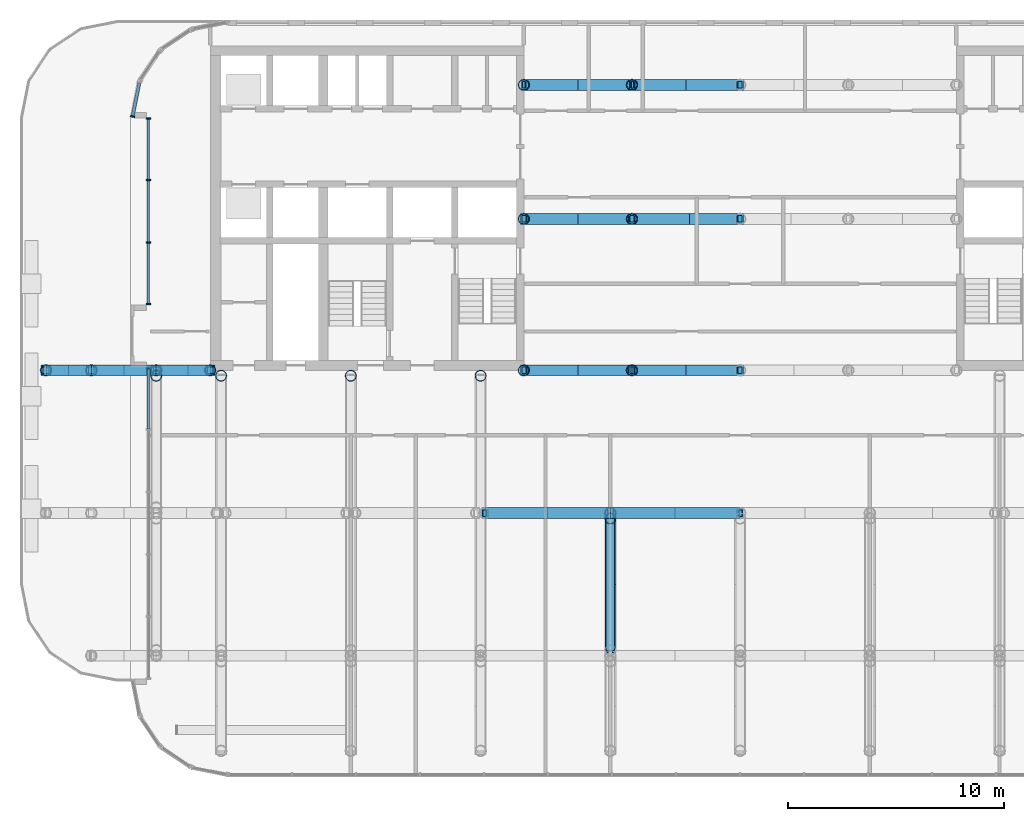
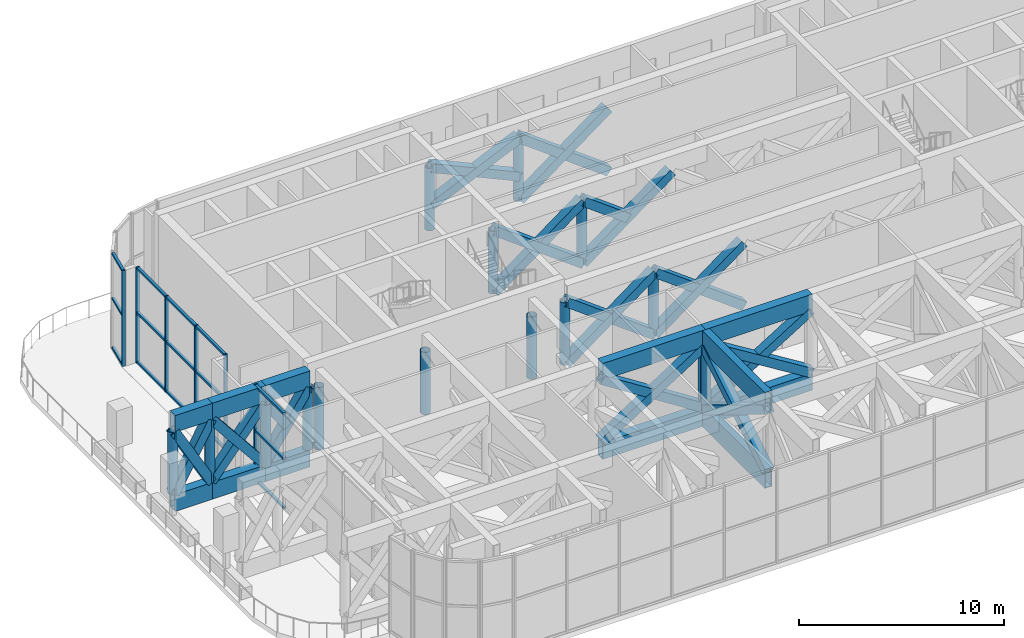
# One storey, part 3 of 25: 61 members, 12 beams, 3 elements without a shape of their own.
"""IFC4 building model written with IfcOpenShell, lengths in metres."""

from ifc_helpers import new_model, si_unit, direction, frame, origin, origin_2d, place, context, subcontext, project, spatial, rectangle, hollow_rectangle, hollow_circle, extrude, material, layer, layer_set, material_profile, profile_set, type_object, element, aggregate, save


model = new_model("IFC4")

# Units and contexts
model_context = context("Model", 3, precision=1e-05, world=origin(), true_north=direction((0.0, 1.0)))
body_context = subcontext(model_context, "Body", "Model", "MODEL_VIEW")
ifc_project = project(units=[si_unit("LENGTHUNIT", "METRE"), si_unit("AREAUNIT", "SQUARE_METRE"), si_unit("VOLUMEUNIT", "CUBIC_METRE"), si_unit("PLANEANGLEUNIT", "RADIAN"), si_unit("MASSUNIT", "GRAM", prefix="KILO")], contexts=[model_context])

# Site, building, storey
site_placement = place(None, origin())
site = spatial("IfcSite", under=ifc_project, at=site_placement, CompositionType="ELEMENT")
building_placement = place(site_placement, origin())
building = spatial("IfcBuilding", under=site, at=building_placement, Name="Torana Hotel and Residences", CompositionType="ELEMENT")
storey_placement = place(building_placement, frame((0.0, 0.0, 106.800048828125)))
storey = spatial("IfcBuildingStorey", under=building, at=storey_placement, Name="L27", CompositionType="ELEMENT", Elevation=106.800048828125)

# Curtain wall, member
ifc_material_1 = material(Name="Dark anodised aluminium", Category="aluminium")
ifc_layer = layer(ifc_material_1, 0.199951171875)
ifc_layer_set = layer_set([ifc_layer], Name="CW2 SKY LOBBY UNITISED CURTAIN WALL")
curtain_wall_type = type_object("IfcCurtainWallType", Name="CW2 SKY LOBBY UNITISED CURTAIN WALL", PredefinedType="NOTDEFINED", material=ifc_layer_set)
curtain_wall_1_placement = place(storey_placement, origin())
curtain_wall_1 = element("IfcCurtainWall", 1, at=curtain_wall_1_placement, inside=storey, type_object=curtain_wall_type, Name="Curtain wall CW2 L27 e0.8-1", PredefinedType="NOTDEFINED")
ifc_material_2 = material(Name="Dark anodised aluminium", Category="aluminium")
ifc_material_profile_1 = material_profile(ifc_material_2, rectangle(XDim=0.199951171875, YDim=0.070068359375, at=origin_2d()), Name="CW2 MULLION 70x200")
ifc_profile_set_1 = profile_set([ifc_material_profile_1], Name="Dark anodised aluminium")
member_type_1 = type_object("IfcMemberType", Name="CW2 MULLION 70x200", PredefinedType="MULLION", material=ifc_profile_set_1)
member_1_placement = place(storey_placement, frame((-28.09033203125, -3.260986328125, 0.0), z_axis=(0.0, 0.0, 1.0), x_axis=(0.980790545928, -0.195063848566, 0.0)))
member_1 = element("IfcMember", 2, at=member_1_placement, type_object=member_type_1, Name="CW2 mullion 2", PredefinedType="MULLION", context=body_context, shape_type="SweptSolid", body=[
    extrude(rectangle(XDim=0.199951171875, YDim=0.070068359375, at=origin_2d()), origin(), (0.0, 0.0, 1.0), 5.719970703125),
])

# Curtain wall, members
curtain_wall_2_placement = place(storey_placement, origin())
curtain_wall_2 = element("IfcCurtainWall", 3, at=curtain_wall_2_placement, inside=storey, type_object=curtain_wall_type, Name="Curtain wall CW2 L27 e0.9-1", PredefinedType="NOTDEFINED")
member_2_placement = place(storey_placement, frame((-27.35498046875, -3.359619140625, 0.0), z_axis=(0.0, 0.0, 1.0), x_axis=(1.0, 0.0, 0.0)))
member_2 = element("IfcMember", 4, at=member_2_placement, type_object=member_type_1, Name="CW2 mullion 1", PredefinedType="MULLION", context=body_context, shape_type="SweptSolid", body=[
    extrude(rectangle(XDim=0.199951171875, YDim=0.070068359375, at=origin_2d()), origin(), (0.0, 0.0, 1.0), 5.719970703125),
])
member_3_placement = place(storey_placement, frame((-27.35498046875, -6.2080078125, 0.0), z_axis=(0.0, 0.0, 1.0), x_axis=(1.0, 0.0, 0.0)))
member_3 = element("IfcMember", 5, at=member_3_placement, type_object=member_type_1, Name="CW2 mullion 2", PredefinedType="MULLION", context=body_context, shape_type="SweptSolid", body=[
    extrude(rectangle(XDim=0.199951171875, YDim=0.070068359375, at=origin_2d()), origin(), (0.0, 0.0, 1.0), 5.719970703125),
])
member_4_placement = place(storey_placement, frame((-27.35498046875, -9.091552734375, 0.0), z_axis=(0.0, 0.0, 1.0), x_axis=(1.0, 0.0, 0.0)))
member_4 = element("IfcMember", 6, at=member_4_placement, type_object=member_type_1, Name="CW2 mullion 3", PredefinedType="MULLION", context=body_context, shape_type="SweptSolid", body=[
    extrude(rectangle(XDim=0.199951171875, YDim=0.070068359375, at=origin_2d()), origin(), (0.0, 0.0, 1.0), 5.719970703125),
])
member_5_placement = place(storey_placement, frame((-27.35498046875, -11.93994140625, 0.0), z_axis=(0.0, 0.0, 1.0), x_axis=(1.0, 0.0, 0.0)))
member_5 = element("IfcMember", 7, at=member_5_placement, type_object=member_type_1, Name="CW2 mullion 4", PredefinedType="MULLION", context=body_context, shape_type="SweptSolid", body=[
    extrude(rectangle(XDim=0.199951171875, YDim=0.070068359375, at=origin_2d()), origin(), (0.0, 0.0, 1.0), 5.719970703125),
])

# Curtain wall, member
curtain_wall_3_placement = place(storey_placement, origin())
curtain_wall_3 = element("IfcCurtainWall", 8, at=curtain_wall_3_placement, inside=storey, type_object=curtain_wall_type, Name="Curtain wall CW2 L27 e0.9-2", PredefinedType="NOTDEFINED")
member_6_placement = place(storey_placement, frame((-27.35498046875, -14.893310546875, 0.0), z_axis=(0.0, 0.0, 1.0), x_axis=(1.0, 0.0, 0.0)))
member_6 = element("IfcMember", 9, at=member_6_placement, type_object=member_type_1, Name="CW2 mullion 1", PredefinedType="MULLION", context=body_context, shape_type="SweptSolid", body=[
    extrude(rectangle(XDim=0.199951171875, YDim=0.070068359375, at=origin_2d()), origin(), (0.0, 0.0, 1.0), 5.719970703125),
])

# Member
ifc_material_3 = material(Name="Dark anodised aluminium", Category="aluminium")
ifc_material_profile_2 = material_profile(ifc_material_3, rectangle(XDim=0.14990234375, YDim=0.1201171875, at=origin_2d()), Name="CW2 TRANSOM 150x120")
ifc_profile_set_2 = profile_set([ifc_material_profile_2], Name="Dark anodised aluminium")
member_type_2 = type_object("IfcMemberType", Name="CW2 TRANSOM 150x120", PredefinedType="USERDEFINED", material=ifc_profile_set_2)
member_7_placement = place(storey_placement, frame((-27.78271484375, -1.71484375, 0.06005859375), z_axis=(-0.19511099609, -0.980781167848, 0.0), x_axis=(0.980781167848, -0.19511099609, 0.0)))
member_7 = element("IfcMember", 10, at=member_7_placement, type_object=member_type_2, Name="CW2 transom 1.1", ObjectType="TRANSOM", PredefinedType="USERDEFINED", context=body_context, shape_type="SweptSolid", body=[
    extrude(rectangle(XDim=0.14990234375, YDim=0.1201171875, at=origin_2d()), origin(), (0.0, 0.0, 1.0), 1.54150390625),
])

member_8_placement = place(storey_placement, frame((-27.78271484375, -1.71484375, 3.0), z_axis=(-0.19511099609, -0.980781167848, 0.0), x_axis=(0.980781167848, -0.19511099609, 0.0)))
member_8 = element("IfcMember", 11, at=member_8_placement, type_object=member_type_2, Name="CW2 transom 1.2", ObjectType="TRANSOM", PredefinedType="USERDEFINED", context=body_context, shape_type="SweptSolid", body=[
    extrude(rectangle(XDim=0.14990234375, YDim=0.1201171875, at=origin_2d()), origin(), (0.0, 0.0, 1.0), 1.54150390625),
])

member_9_placement = place(storey_placement, frame((-27.78271484375, -1.71484375, 5.659912109375), z_axis=(-0.19511099609, -0.980781167848, 0.0), x_axis=(0.980781167848, -0.19511099609, 0.0)))
member_9 = element("IfcMember", 12, at=member_9_placement, type_object=member_type_2, Name="CW2 transom 1.3", ObjectType="TRANSOM", PredefinedType="USERDEFINED", context=body_context, shape_type="SweptSolid", body=[
    extrude(rectangle(XDim=0.14990234375, YDim=0.1201171875, at=origin_2d()), origin(), (0.0, 0.0, 1.0), 1.54150390625),
])

aggregate(curtain_wall_1, [member_1, member_7, member_8, member_9])

member_10_placement = place(storey_placement, frame((-27.35498046875, -3.39453125, 0.06005859375), z_axis=(0.0, -1.0, 0.0), x_axis=(1.0, 0.0, 0.0)))
member_10 = element("IfcMember", 13, at=member_10_placement, type_object=member_type_2, Name="CW2 transom 1.1", ObjectType="TRANSOM", PredefinedType="USERDEFINED", context=body_context, shape_type="SweptSolid", body=[
    extrude(rectangle(XDim=0.14990234375, YDim=0.1201171875, at=origin_2d()), origin(), (0.0, 0.0, 1.0), 2.778564453125),
])

member_11_placement = place(storey_placement, frame((-27.35498046875, -3.39453125, 3.0), z_axis=(0.0, -1.0, 0.0), x_axis=(1.0, 0.0, 0.0)))
member_11 = element("IfcMember", 14, at=member_11_placement, type_object=member_type_2, Name="CW2 transom 1.2", ObjectType="TRANSOM", PredefinedType="USERDEFINED", context=body_context, shape_type="SweptSolid", body=[
    extrude(rectangle(XDim=0.14990234375, YDim=0.1201171875, at=origin_2d()), origin(), (0.0, 0.0, 1.0), 2.778564453125),
])

member_12_placement = place(storey_placement, frame((-27.35498046875, -3.39453125, 5.659912109375), z_axis=(0.0, -1.0, 0.0), x_axis=(1.0, 0.0, 0.0)))
member_12 = element("IfcMember", 15, at=member_12_placement, type_object=member_type_2, Name="CW2 transom 1.3", ObjectType="TRANSOM", PredefinedType="USERDEFINED", context=body_context, shape_type="SweptSolid", body=[
    extrude(rectangle(XDim=0.14990234375, YDim=0.1201171875, at=origin_2d()), origin(), (0.0, 0.0, 1.0), 2.778564453125),
])

member_13_placement = place(storey_placement, frame((-27.35498046875, -6.242919921875, 0.06005859375), z_axis=(0.0, -1.0, 0.0), x_axis=(1.0, 0.0, 0.0)))
member_13 = element("IfcMember", 16, at=member_13_placement, type_object=member_type_2, Name="CW2 transom 2.1", ObjectType="TRANSOM", PredefinedType="USERDEFINED", context=body_context, shape_type="SweptSolid", body=[
    extrude(rectangle(XDim=0.14990234375, YDim=0.1201171875, at=origin_2d()), origin(), (0.0, 0.0, 1.0), 2.8134765625),
])

member_14_placement = place(storey_placement, frame((-27.35498046875, -6.242919921875, 3.0), z_axis=(0.0, -1.0, 0.0), x_axis=(1.0, 0.0, 0.0)))
member_14 = element("IfcMember", 17, at=member_14_placement, type_object=member_type_2, Name="CW2 transom 2.2", ObjectType="TRANSOM", PredefinedType="USERDEFINED", context=body_context, shape_type="SweptSolid", body=[
    extrude(rectangle(XDim=0.14990234375, YDim=0.1201171875, at=origin_2d()), origin(), (0.0, 0.0, 1.0), 2.8134765625),
])

member_15_placement = place(storey_placement, frame((-27.35498046875, -6.242919921875, 5.659912109375), z_axis=(0.0, -1.0, 0.0), x_axis=(1.0, 0.0, 0.0)))
member_15 = element("IfcMember", 18, at=member_15_placement, type_object=member_type_2, Name="CW2 transom 2.3", ObjectType="TRANSOM", PredefinedType="USERDEFINED", context=body_context, shape_type="SweptSolid", body=[
    extrude(rectangle(XDim=0.14990234375, YDim=0.1201171875, at=origin_2d()), origin(), (0.0, 0.0, 1.0), 2.8134765625),
])

member_16_placement = place(storey_placement, frame((-27.35498046875, -9.12646484375, 0.06005859375), z_axis=(0.0, -1.0, 0.0), x_axis=(1.0, 0.0, 0.0)))
member_16 = element("IfcMember", 19, at=member_16_placement, type_object=member_type_2, Name="CW2 transom 3.1", ObjectType="TRANSOM", PredefinedType="USERDEFINED", context=body_context, shape_type="SweptSolid", body=[
    extrude(rectangle(XDim=0.14990234375, YDim=0.1201171875, at=origin_2d()), origin(), (0.0, 0.0, 1.0), 2.7783203125),
])

member_17_placement = place(storey_placement, frame((-27.35498046875, -9.12646484375, 3.0), z_axis=(0.0, -1.0, 0.0), x_axis=(1.0, 0.0, 0.0)))
member_17 = element("IfcMember", 20, at=member_17_placement, type_object=member_type_2, Name="CW2 transom 3.2", ObjectType="TRANSOM", PredefinedType="USERDEFINED", context=body_context, shape_type="SweptSolid", body=[
    extrude(rectangle(XDim=0.14990234375, YDim=0.1201171875, at=origin_2d()), origin(), (0.0, 0.0, 1.0), 2.7783203125),
])

member_18_placement = place(storey_placement, frame((-27.35498046875, -9.12646484375, 5.659912109375), z_axis=(0.0, -1.0, 0.0), x_axis=(1.0, 0.0, 0.0)))
member_18 = element("IfcMember", 21, at=member_18_placement, type_object=member_type_2, Name="CW2 transom 3.3", ObjectType="TRANSOM", PredefinedType="USERDEFINED", context=body_context, shape_type="SweptSolid", body=[
    extrude(rectangle(XDim=0.14990234375, YDim=0.1201171875, at=origin_2d()), origin(), (0.0, 0.0, 1.0), 2.7783203125),
])

aggregate(curtain_wall_2, [member_2, member_3, member_4, member_5, member_10, member_11, member_12, member_13, member_14, member_15, member_16, member_17, member_18])

member_19_placement = place(storey_placement, frame((-27.35498046875, -14.92822265625, 0.06005859375), z_axis=(0.0, -1.0, 0.0), x_axis=(1.0, 0.0, 0.0)))
member_19 = element("IfcMember", 22, at=member_19_placement, type_object=member_type_2, Name="CW2 transom 1.1", ObjectType="TRANSOM", PredefinedType="USERDEFINED", context=body_context, shape_type="SweptSolid", body=[
    extrude(rectangle(XDim=0.14990234375, YDim=0.1201171875, at=origin_2d()), origin(), (0.0, 0.0, 1.0), 2.778564453125),
])

member_20_placement = place(storey_placement, frame((-27.35498046875, -14.92822265625, 3.0), z_axis=(0.0, -1.0, 0.0), x_axis=(1.0, 0.0, 0.0)))
member_20 = element("IfcMember", 23, at=member_20_placement, type_object=member_type_2, Name="CW2 transom 1.2", ObjectType="TRANSOM", PredefinedType="USERDEFINED", context=body_context, shape_type="SweptSolid", body=[
    extrude(rectangle(XDim=0.14990234375, YDim=0.1201171875, at=origin_2d()), origin(), (0.0, 0.0, 1.0), 2.778564453125),
])

member_21_placement = place(storey_placement, frame((-27.35498046875, -14.92822265625, 5.659912109375), z_axis=(0.0, -1.0, 0.0), x_axis=(1.0, 0.0, 0.0)))
member_21 = element("IfcMember", 24, at=member_21_placement, type_object=member_type_2, Name="CW2 transom 1.3", ObjectType="TRANSOM", PredefinedType="USERDEFINED", context=body_context, shape_type="SweptSolid", body=[
    extrude(rectangle(XDim=0.14990234375, YDim=0.1201171875, at=origin_2d()), origin(), (0.0, 0.0, 1.0), 2.778564453125),
])

aggregate(curtain_wall_3, [member_6, member_19, member_20, member_21])

# Beams
ifc_material_4 = material(Name="Steel S355", Category="steel")
ifc_material_profile_3 = material_profile(ifc_material_4, hollow_rectangle(XDim=0.5, YDim=1.0, WallThickness=0.050048828125, at=origin_2d()), Name="BOX 1000x500x50")
ifc_profile_set_3 = profile_set([ifc_material_profile_3], Name="Steel S355")
beam_type_1 = type_object("IfcBeamType", Name="STEEL CHORD BOX 1000x500x50", PredefinedType="BEAM", material=ifc_profile_set_3)
for number, where, z_axis, x_axis, name in (
    (25, (-11.800048828125, -21.60009765625, 0.5), (1.0, 0.0, 0.0), (0.0, 1.0, 0.0), "Transfer chord L27"),
    (26, (-11.800048828125, -21.60009765625, 5.219970703125), (1.0, 0.0, 0.0), (0.0, 1.0, 0.0), "Transfer chord L27"),
):
    element("IfcBeam", number, at=place(storey_placement, frame(where, z_axis=z_axis, x_axis=x_axis)), inside=storey, type_object=beam_type_1, Name=name, PredefinedType="BEAM", context=body_context, shape_type="SweptSolid", body=[
        extrude(hollow_rectangle(XDim=0.5, YDim=1.0, WallThickness=0.050048828125, at=origin_2d()), origin(), (0.0, 0.0, 1.0), 5.800048828125),
    ])
for number, where, z_axis, x_axis, name in (
    (27, (-6.0, -21.60009765625, 0.5), (1.0, 0.0, 0.0), (0.0, 1.0, 0.0), "Transfer chord L27"),
    (28, (-6.0, -21.60009765625, 5.219970703125), (1.0, 0.0, 0.0), (0.0, 1.0, 0.0), "Transfer chord L27"),
):
    element("IfcBeam", number, at=place(storey_placement, frame(where, z_axis=z_axis, x_axis=x_axis)), inside=storey, type_object=beam_type_1, Name=name, PredefinedType="BEAM", context=body_context, shape_type="SweptSolid", body=[
        extrude(hollow_rectangle(XDim=0.5, YDim=1.0, WallThickness=0.050048828125, at=origin_2d()), origin(), (0.0, 0.0, 1.0), 6.0),
    ])
for number, where, z_axis, x_axis, name in (
    (29, (-32.10009765625, -15.0, 0.5), (1.0, 0.0, 0.0), (0.0, 1.0, 0.0), "Transfer chord L27"),
    (30, (-32.10009765625, -15.0, 5.219970703125), (1.0, 0.0, 0.0), (0.0, 1.0, 0.0), "Transfer chord L27"),
):
    element("IfcBeam", number, at=place(storey_placement, frame(where, z_axis=z_axis, x_axis=x_axis)), inside=storey, type_object=beam_type_1, Name=name, PredefinedType="BEAM", context=body_context, shape_type="SweptSolid", body=[
        extrude(hollow_rectangle(XDim=0.5, YDim=1.0, WallThickness=0.050048828125, at=origin_2d()), origin(), (0.0, 0.0, 1.0), 2.10009765625),
    ])
for number, where, z_axis, x_axis, name in (
    (31, (-30.0, -15.0, 0.5), (1.0, 0.0, 0.0), (0.0, 1.0, 0.0), "Transfer chord L27"),
    (32, (-30.0, -15.0, 5.219970703125), (1.0, 0.0, 0.0), (0.0, 1.0, 0.0), "Transfer chord L27"),
):
    element("IfcBeam", number, at=place(storey_placement, frame(where, z_axis=z_axis, x_axis=x_axis)), inside=storey, type_object=beam_type_1, Name=name, PredefinedType="BEAM", context=body_context, shape_type="SweptSolid", body=[
        extrude(hollow_rectangle(XDim=0.5, YDim=1.0, WallThickness=0.050048828125, at=origin_2d()), origin(), (0.0, 0.0, 1.0), 3.0),
    ])
for number, where, z_axis, x_axis, name in (
    (33, (-27.0, -15.0, 0.5), (1.0, 0.0, 0.0), (0.0, 1.0, 0.0), "Transfer chord L27"),
    (34, (-27.0, -15.0, 5.219970703125), (1.0, 0.0, 0.0), (0.0, 1.0, 0.0), "Transfer chord L27"),
):
    element("IfcBeam", number, at=place(storey_placement, frame(where, z_axis=z_axis, x_axis=x_axis)), inside=storey, type_object=beam_type_1, Name=name, PredefinedType="BEAM", context=body_context, shape_type="SweptSolid", body=[
        extrude(hollow_rectangle(XDim=0.5, YDim=1.0, WallThickness=0.050048828125, at=origin_2d()), origin(), (0.0, 0.0, 1.0), 2.5),
    ])
ifc_material_5 = material(Name="Steel S355", Category="steel")
ifc_material_profile_4 = material_profile(ifc_material_5, hollow_rectangle(XDim=0.39990234375, YDim=1.199951171875, WallThickness=0.0400390625, at=origin_2d()), Name="BOX 1200x400x40")
ifc_profile_set_4 = profile_set([ifc_material_profile_4], Name="Steel S355")
beam_type_2 = type_object("IfcBeamType", Name="STEEL CHORD BOX 1200x400x40", PredefinedType="BEAM", material=ifc_profile_set_4)
for number, where, z_axis, x_axis, name in (
    (35, (-6.0, -27.949951171875, 0.599853515625), (0.0, 1.0, 0.0), (-1.0, 0.0, 0.0), "Transfer chord L27"),
    (36, (-6.0, -27.949951171875, 5.119873046875), (0.0, 1.0, 0.0), (-1.0, 0.0, 0.0), "Transfer chord L27"),
):
    element("IfcBeam", number, at=place(storey_placement, frame(where, z_axis=z_axis, x_axis=x_axis)), inside=storey, type_object=beam_type_2, Name=name, PredefinedType="BEAM", context=body_context, shape_type="SweptSolid", body=[
        extrude(hollow_rectangle(XDim=0.39990234375, YDim=1.199951171875, WallThickness=0.0400390625, at=origin_2d()), origin(), (0.0, 0.0, 1.0), 6.099853515625),
    ])

# Members
ifc_material_6 = material(Name="Steel S355", Category="steel")
ifc_material_profile_5 = material_profile(ifc_material_6, hollow_rectangle(XDim=0.5, YDim=0.5, WallThickness=0.10009765625, at=origin_2d()), Name="BOX 500x500x100")
ifc_profile_set_5 = profile_set([ifc_material_profile_5], Name="Steel S355")
member_type_3 = type_object("IfcMemberType", Name="STEEL DIAGONAL BOX 500x500x100", PredefinedType="BRACE", material=ifc_profile_set_5)
for number, where, z_axis, x_axis, name in (
    (37, (-10.0, -15.0, 1.0), (0.802306956603, 0.0, 0.596911674695), (0.0, 1.0, 0.0), "Truss diagonal L27"),
    (38, (-5.0, -15.0, 1.0), (-0.802306956603, 0.0, 0.596911674695), (0.0, -1.0, 0.0), "Truss diagonal L27"),
    (39, (-5.0, -15.0, 1.0), (0.802306956603, 0.0, 0.596911674695), (0.0, 1.0, 0.0), "Truss diagonal L27"),
    (40, (0.0, -15.0, 1.0), (-0.802306956603, 0.0, 0.596911674695), (0.0, -1.0, 0.0), "Truss diagonal L27"),
    (41, (-10.0, -8.0, 1.0), (0.802306956603, 0.0, 0.596911674695), (0.0, 1.0, 0.0), "Truss diagonal L27"),
    (42, (-5.0, -8.0, 1.0), (-0.802306956603, 0.0, 0.596911674695), (0.0, -1.0, 0.0), "Truss diagonal L27"),
    (43, (-5.0, -8.0, 1.0), (0.802306956603, 0.0, 0.596911674695), (0.0, 1.0, 0.0), "Truss diagonal L27"),
):
    element("IfcMember", number, at=place(storey_placement, frame(where, z_axis=z_axis, x_axis=x_axis)), inside=storey, type_object=member_type_3, Name=name, PredefinedType="BRACE", context=body_context, shape_type="SweptSolid", body=[
        extrude(hollow_rectangle(XDim=0.5, YDim=0.5, WallThickness=0.10009765625, at=origin_2d()), origin(), (0.0, 0.0, 1.0), 6.23193359375),
    ])
member_22_placement = place(storey_placement, frame((-2.5, -8.0, 2.85986328125), z_axis=(-0.802288195418, 0.0, 0.596936890712), x_axis=(0.0, -1.0, 0.0)))
element("IfcMember", 44, at=member_22_placement, inside=storey, type_object=member_type_3, Name="Truss diagonal L27", PredefinedType="BRACE", context=body_context, shape_type="SweptSolid", body=[
    extrude(hollow_rectangle(XDim=0.5, YDim=0.5, WallThickness=0.10009765625, at=origin_2d()), origin(), (0.0, 0.0, 1.0), 3.115966796875),
])
for number, where, z_axis, x_axis, name in (
    (45, (-10.0, -1.800048828125, 2.449951171875), (0.910552145583, 0.0, 0.413394230939), (0.0, 1.0, 0.0), "Truss diagonal L27"),
    (46, (-5.0, -1.800048828125, 2.449951171875), (-0.910552145583, 0.0, 0.413394230939), (0.0, -1.0, 0.0), "Truss diagonal L27"),
):
    element("IfcMember", number, at=place(storey_placement, frame(where, z_axis=z_axis, x_axis=x_axis)), inside=storey, type_object=member_type_3, Name=name, PredefinedType="BRACE", context=body_context, shape_type="SweptSolid", body=[
        extrude(hollow_rectangle(XDim=0.5, YDim=0.5, WallThickness=0.10009765625, at=origin_2d()), origin(), (0.0, 0.0, 1.0), 5.4912109375),
    ])
for number, where, z_axis, x_axis, name in (
    (47, (-5.0, -1.800048828125, 1.0), (0.802306956603, 0.0, 0.596911674695), (0.0, 1.0, 0.0), "Truss diagonal L27"),
    (48, (0.0, -1.800048828125, 1.0), (-0.802306956603, 0.0, 0.596911674695), (0.0, -1.0, 0.0), "Truss diagonal L27"),
):
    element("IfcMember", number, at=place(storey_placement, frame(where, z_axis=z_axis, x_axis=x_axis)), inside=storey, type_object=member_type_3, Name=name, PredefinedType="BRACE", context=body_context, shape_type="SweptSolid", body=[
        extrude(hollow_rectangle(XDim=0.5, YDim=0.5, WallThickness=0.10009765625, at=origin_2d()), origin(), (0.0, 0.0, 1.0), 6.23193359375),
    ])
for number, where, z_axis, x_axis, name in (
    (49, (-11.800048828125, -21.60009765625, 1.0), (0.841747855443, 0.0, 0.539870862204), (0.0, 1.0, 0.0), "Truss diagonal L27"),
    (50, (-6.0, -21.60009765625, 1.0), (-0.841747855443, 0.0, 0.539870862204), (0.0, -1.0, 0.0), "Truss diagonal L27"),
):
    element("IfcMember", number, at=place(storey_placement, frame(where, z_axis=z_axis, x_axis=x_axis)), inside=storey, type_object=member_type_3, Name=name, PredefinedType="BRACE", context=body_context, shape_type="SweptSolid", body=[
        extrude(hollow_rectangle(XDim=0.5, YDim=0.5, WallThickness=0.10009765625, at=origin_2d()), origin(), (0.0, 0.0, 1.0), 6.890380859375),
    ])
for number, where, z_axis, x_axis, name in (
    (51, (-6.0, -21.60009765625, 1.0), (0.84990455024, 0.0, 0.526936671224), (0.0, 1.0, 0.0), "Truss diagonal L27"),
    (52, (0.0, -21.60009765625, 1.0), (-0.84990455024, 0.0, 0.526936671224), (0.0, -1.0, 0.0), "Truss diagonal L27"),
):
    element("IfcMember", number, at=place(storey_placement, frame(where, z_axis=z_axis, x_axis=x_axis)), inside=storey, type_object=member_type_3, Name=name, PredefinedType="BRACE", context=body_context, shape_type="SweptSolid", body=[
        extrude(hollow_rectangle(XDim=0.5, YDim=0.5, WallThickness=0.10009765625, at=origin_2d()), origin(), (0.0, 0.0, 1.0), 7.0595703125),
    ])
for number, where, z_axis, x_axis, name in (
    (53, (-32.10009765625, -15.0, 1.0), (0.491614639726, 0.0, 0.87081286509), (0.0, 1.0, 0.0), "Truss diagonal L27"),
    (54, (-30.0, -15.0, 1.0), (-0.491614639726, 0.0, 0.87081286509), (0.0, -1.0, 0.0), "Truss diagonal L27"),
):
    element("IfcMember", number, at=place(storey_placement, frame(where, z_axis=z_axis, x_axis=x_axis)), inside=storey, type_object=member_type_3, Name=name, PredefinedType="BRACE", context=body_context, shape_type="SweptSolid", body=[
        extrude(hollow_rectangle(XDim=0.5, YDim=0.5, WallThickness=0.10009765625, at=origin_2d()), origin(), (0.0, 0.0, 1.0), 4.271728515625),
    ])
for number, where, z_axis, x_axis, name in (
    (55, (-30.0, -15.0, 1.0), (0.627755446821, 0.0, 0.778410623634), (0.0, 1.0, 0.0), "Truss diagonal L27"),
    (56, (-27.0, -15.0, 1.0), (-0.627755446821, 0.0, 0.778410623634), (0.0, -1.0, 0.0), "Truss diagonal L27"),
):
    element("IfcMember", number, at=place(storey_placement, frame(where, z_axis=z_axis, x_axis=x_axis)), inside=storey, type_object=member_type_3, Name=name, PredefinedType="BRACE", context=body_context, shape_type="SweptSolid", body=[
        extrude(hollow_rectangle(XDim=0.5, YDim=0.5, WallThickness=0.10009765625, at=origin_2d()), origin(), (0.0, 0.0, 1.0), 4.779052734375),
    ])
member_23_placement = place(storey_placement, frame((-27.0, -15.0, 1.0), z_axis=(0.557788673366, 0.0, 0.829983009383), x_axis=(0.0, 1.0, 0.0)))
element("IfcMember", 57, at=member_23_placement, inside=storey, type_object=member_type_3, Name="Truss diagonal L27", PredefinedType="BRACE", context=body_context, shape_type="SweptSolid", body=[
    extrude(hollow_rectangle(XDim=0.5, YDim=0.5, WallThickness=0.10009765625, at=origin_2d()), origin(), (0.0, 0.0, 1.0), 4.48193359375),
])
member_24_placement = place(storey_placement, frame((-25.75, -15.0, 2.85986328125), z_axis=(-0.557763456366, 0.0, 0.829999955869), x_axis=(0.0, -1.0, 0.0)))
element("IfcMember", 58, at=member_24_placement, inside=storey, type_object=member_type_3, Name="Truss diagonal L27", PredefinedType="BRACE", context=body_context, shape_type="SweptSolid", body=[
    extrude(hollow_rectangle(XDim=0.5, YDim=0.5, WallThickness=0.10009765625, at=origin_2d()), origin(), (0.0, 0.0, 1.0), 2.2412109375),
])
for number, where, z_axis, x_axis, name in (
    (59, (-6.0, -27.949951171875, 1.0), (0.0, 0.853762091888, 0.520663317755), (-1.0, 0.0, 0.0), "Truss diagonal L27"),
    (60, (-6.0, -21.85009765625, 1.0), (0.0, -0.853762091888, 0.520663317755), (1.0, 0.0, 0.0), "Truss diagonal L27"),
):
    element("IfcMember", number, at=place(storey_placement, frame(where, z_axis=z_axis, x_axis=x_axis)), inside=storey, type_object=member_type_3, Name=name, PredefinedType="BRACE", context=body_context, shape_type="SweptSolid", body=[
        extrude(hollow_rectangle(XDim=0.5, YDim=0.5, WallThickness=0.10009765625, at=origin_2d()), origin(), (0.0, 0.0, 1.0), 7.144775390625),
    ])
ifc_material_7 = material(Name="Steel S355", Category="steel")
ifc_material_profile_6 = material_profile(ifc_material_7, hollow_circle(Radius=0.25390625, WallThickness=0.01611328125, at=origin_2d()), Name="508x16 CHS")
ifc_profile_set_6 = profile_set([ifc_material_profile_6], Name="Steel S355")
member_type_4 = type_object("IfcMemberType", Name="STEEL POST 508x16 CHS", PredefinedType="POST", material=ifc_profile_set_6)
for number, where, z_axis, x_axis, name in (
    (61, (-6.0, -21.60009765625, 1.0), (0.0, 0.0, 1.0), (1.0, 0.0, 0.0), "Truss post L27"),
    (62, (-32.10009765625, -15.0, 1.0), (0.0, 0.0, 1.0), (1.0, 0.0, 0.0), "Truss post L27"),
    (63, (-30.0, -15.0, 1.0), (0.0, 0.0, 1.0), (1.0, 0.0, 0.0), "Truss post L27"),
    (64, (-27.0, -15.0, 1.0), (0.0, 0.0, 1.0), (1.0, 0.0, 0.0), "Truss post L27"),
    (65, (-24.5, -15.0, 1.0), (0.0, 0.0, 1.0), (1.0, 0.0, 0.0), "Truss post L27"),
    (66, (-27.0, -15.25, 1.0), (0.0, 0.0, 1.0), (1.0, 0.0, 0.0), "Truss post L27"),
    (67, (-24.0, -15.25, 1.0), (0.0, 0.0, 1.0), (1.0, 0.0, 0.0), "Truss post L27"),
    (68, (-18.0, -15.25, 1.0), (0.0, 0.0, 1.0), (1.0, 0.0, 0.0), "Truss post L27"),
    (69, (-12.0, -15.25, 1.0), (0.0, 0.0, 1.0), (1.0, 0.0, 0.0), "Truss post L27"),
    (70, (-6.0, -21.85009765625, 1.0), (0.0, 0.0, 1.0), (1.0, 0.0, 0.0), "Truss post L27"),
    (71, (-10.0, -15.0, 1.0), (0.0, 0.0, 1.0), (1.0, 0.0, 0.0), "Truss post L27"),
    (72, (-10.0, -8.0, 1.0), (0.0, 0.0, 1.0), (1.0, 0.0, 0.0), "Truss post L27"),
    (73, (-10.0, -1.800048828125, 1.0), (0.0, 0.0, 1.0), (1.0, 0.0, 0.0), "Truss post L27"),
    (74, (-5.0, -15.0, 1.0), (0.0, 0.0, 1.0), (1.0, 0.0, 0.0), "Truss post L27"),
    (75, (-5.0, -8.0, 1.0), (0.0, 0.0, 1.0), (1.0, 0.0, 0.0), "Truss post L27"),
    (76, (-5.0, -1.800048828125, 1.0), (0.0, 0.0, 1.0), (1.0, 0.0, 0.0), "Truss post L27"),
):
    element("IfcMember", number, at=place(storey_placement, frame(where, z_axis=z_axis, x_axis=x_axis)), inside=storey, type_object=member_type_4, Name=name, PredefinedType="POST", context=body_context, shape_type="SweptSolid", body=[
        extrude(hollow_circle(Radius=0.25390625, WallThickness=0.01611328125, at=origin_2d()), origin(), (0.0, 0.0, 1.0), 3.719970703125),
    ])

save(model, "model.ifc")
